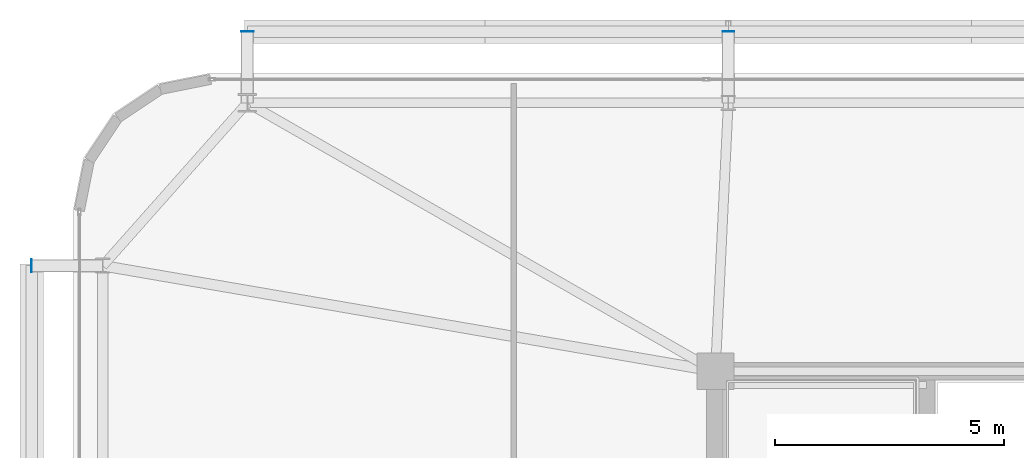
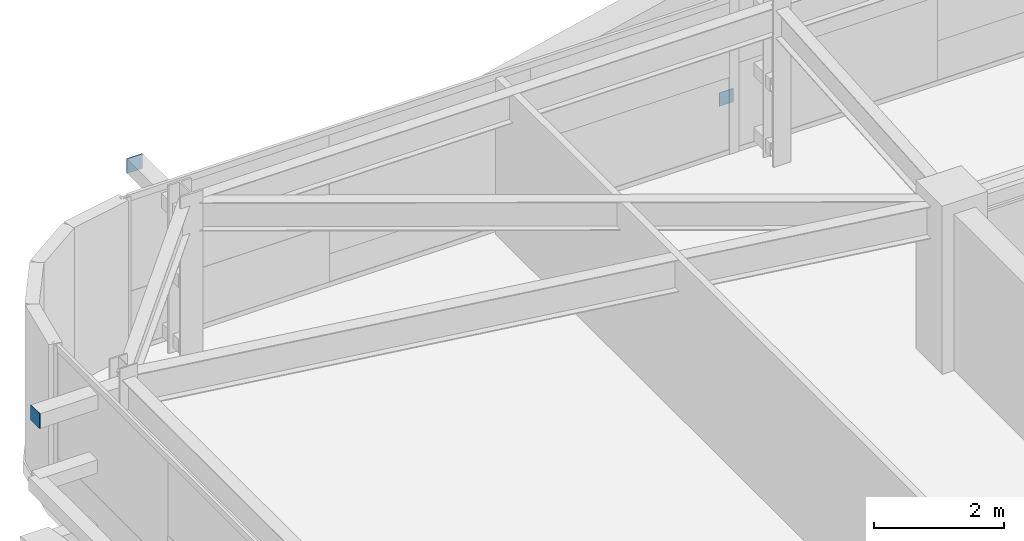
# One storey, part 36 of 44: 3 plates.
"""IFC4 building model written with IfcOpenShell, lengths in metres."""

import ifcopenshell
import ifcopenshell.guid

model = None  # the IFC model being written
_history = None  # IfcOwnerHistory: only IFC2X3 demands one
_inside = {}  # id of a spatial element -> (the spatial element, [elements in it])
_under = {}  # id of a project, library or spatial element -> (it, [spatial elements below it])
_declared = {}  # id of a project -> (the project, [libraries it declares])
_typed = {}  # id of a type object -> (the type object, [elements of that type])
_made_of = {}  # id of a material, layer set ... -> (it, [elements and type objects made of it])


def new_model(schema):
    """Start an empty IFC model of exactly this schema.

    Asked for "IFC4X3", IfcOpenShell would pick the latest addendum, in which some entities
    have other attributes; the version numbers below select the first issue.
    IFC2X3 requires an IfcOwnerHistory on every rooted entity: one is made here for all.
    """
    global model, _history
    if schema == "IFC4X3":
        model = ifcopenshell.file(schema_version=(4, 3, 0, 0))
    else:
        model = ifcopenshell.file(schema=schema)
    _inside.clear()
    _under.clear()
    _declared.clear()
    _typed.clear()
    _made_of.clear()
    _history = None
    if model.schema == "IFC2X3":
        org = make("IfcOrganization", Name="unknown")
        user = make(
            "IfcPersonAndOrganization",
            ThePerson=make("IfcPerson", FamilyName="unknown"),
            TheOrganization=org,
        )
        app = make(
            "IfcApplication",
            ApplicationDeveloper=org,
            Version="unknown",
            ApplicationFullName="unknown",
            ApplicationIdentifier="unknown",
        )
        _history = make(
            "IfcOwnerHistory",
            OwningUser=user,
            OwningApplication=app,
            ChangeAction="ADDED",
            CreationDate=0,
        )
    return model


def make(cls, **values):
    """One entity of the class cls with the attributes given. An attribute that is None is left unset."""
    return model.create_entity(
        cls, **{name: value for name, value in values.items() if value is not None}
    )


def rooted(cls, **values):
    """An entity with a GlobalId (a new one), such as an element, a storey or a relation."""
    return make(cls, GlobalId=ifcopenshell.guid.new(), OwnerHistory=_history, **values)


def si_unit(unit_type, name, prefix=None):
    """IfcSIUnit, for example si_unit("LENGTHUNIT", "METRE", prefix="MILLI")."""
    return make("IfcSIUnit", UnitType=unit_type, Prefix=prefix, Name=name)


def assignment(units):
    """IfcUnitAssignment: the units of a project."""
    return None if units is None else make("IfcUnitAssignment", Units=units)


def point(xyz):
    """IfcCartesianPoint."""
    return None if xyz is None else make("IfcCartesianPoint", Coordinates=xyz)


def direction(xyz):
    """IfcDirection."""
    return None if xyz is None else make("IfcDirection", DirectionRatios=xyz)


def frame(location, z_axis=None, x_axis=None):
    """IfcAxis2Placement3D, a coordinate frame: its origin and axes. An axis left out is left unset."""
    return make(
        "IfcAxis2Placement3D",
        Location=point(location),
        Axis=direction(z_axis),
        RefDirection=direction(x_axis),
    )


def frame_2d(location, x_axis=None):
    """IfcAxis2Placement2D, a coordinate frame in the plane: its origin and x axis."""
    return make(
        "IfcAxis2Placement2D", Location=point(location), RefDirection=direction(x_axis)
    )


def origin():
    """The frame at (0, 0, 0) with its axes left unset."""
    return frame((0.0, 0.0, 0.0))


def origin_2d():
    """The frame at (0, 0) in the plane with its x axis left unset."""
    return frame_2d((0.0, 0.0))


def place(relative_to, where):
    """IfcLocalPlacement: puts the frame where relative to a parent placement (None: the world)."""
    return make(
        "IfcLocalPlacement", PlacementRelTo=relative_to, RelativePlacement=where
    )


def context(
    kind, dimensions, precision=None, world=None, true_north=None, identifier=None
):
    """IfcGeometricRepresentationContext, for example the 3D "Model" context."""
    return make(
        "IfcGeometricRepresentationContext",
        ContextIdentifier=identifier,
        ContextType=kind,
        CoordinateSpaceDimension=dimensions,
        Precision=precision,
        WorldCoordinateSystem=world,
        TrueNorth=true_north,
    )


def subcontext(parent, identifier, kind, view, scale=None):
    """IfcGeometricRepresentationSubContext, for example "Body" below "Model"."""
    return make(
        "IfcGeometricRepresentationSubContext",
        ContextIdentifier=identifier,
        ContextType=kind,
        ParentContext=parent,
        TargetScale=scale,
        TargetView=view,
    )


def project(units=None, contexts=None):
    """IfcProject with its units and contexts."""
    return rooted(
        "IfcProject",
        Name="project",
        RepresentationContexts=contexts,
        UnitsInContext=assignment(units),
    )


def spatial(cls, under=None, at=None, **own):
    """A site, building, storey or space (cls), placed at a placement, below another one or the project."""
    s = rooted(cls, ObjectPlacement=at, **own)
    if under is not None:
        _under.setdefault(under.id(), (under, []))[1].append(s)
    return s


def profile(cls, at=None, kind="AREA", **sizes):
    """A parametric profile (cls). Its sizes go by their IFC names, for example OverallWidth=200.0."""
    return make(cls, ProfileType=kind, Position=at, **sizes)


def rectangle(**sizes):
    """IfcRectangleProfileDef."""
    return profile("IfcRectangleProfileDef", **sizes)


def extrude(swept, where, along, depth):
    """IfcExtrudedAreaSolid: the profile swept, set in the frame where, extruded along a direction by depth."""
    return make(
        "IfcExtrudedAreaSolid",
        SweptArea=swept,
        Position=where,
        ExtrudedDirection=direction(along),
        Depth=depth,
    )


def shape(context_of_items, identifier, shape_type, items):
    """IfcShapeRepresentation: the items that make up one representation, for example the "Body"."""
    return make(
        "IfcShapeRepresentation",
        ContextOfItems=context_of_items,
        RepresentationIdentifier=identifier,
        RepresentationType=shape_type,
        Items=items,
    )


def source(mapping_origin, context_of_items, identifier, shape_type, items):
    """IfcRepresentationMap: a shape defined once, which mapped items show again and again."""
    return make(
        "IfcRepresentationMap",
        MappingOrigin=mapping_origin,
        MappedRepresentation=shape(context_of_items, identifier, shape_type, items),
    )


def transform(
    local_origin,
    x_axis=None,
    y_axis=None,
    z_axis=None,
    scale=None,
    scale2=None,
    scale3=None,
    uniform=True,
):
    """IfcCartesianTransformationOperator3D, or its non-uniform kind. x_axis, y_axis, z_axis: its Axis1, 2, 3."""
    if uniform:
        return make(
            "IfcCartesianTransformationOperator3D",
            Axis1=direction(x_axis),
            Axis2=direction(y_axis),
            LocalOrigin=point(local_origin),
            Scale=scale,
            Axis3=direction(z_axis),
        )
    return make(
        "IfcCartesianTransformationOperator3DnonUniform",
        Axis1=direction(x_axis),
        Axis2=direction(y_axis),
        LocalOrigin=point(local_origin),
        Scale=scale,
        Axis3=direction(z_axis),
        Scale2=scale2,
        Scale3=scale3,
    )


def mapped(mapping_source, mapping_target):
    """IfcMappedItem: shows the shape of a source again, moved by a transform."""
    return make(
        "IfcMappedItem", MappingSource=mapping_source, MappingTarget=mapping_target
    )


def material(Name=None, Category=None):
    """IfcMaterial."""
    return make("IfcMaterial", Name=Name, Category=Category)


def layer(
    of_material, thickness, ventilated=None, Name=None, Category=None, Priority=None
):
    """IfcMaterialLayer: one layer of a wall or slab, of a material (None: an air gap)."""
    return make(
        "IfcMaterialLayer",
        Material=of_material,
        LayerThickness=thickness,
        IsVentilated=ventilated,
        Name=Name,
        Category=Category,
        Priority=Priority,
    )


def layer_set(layers, Name=None):
    """IfcMaterialLayerSet."""
    return make("IfcMaterialLayerSet", MaterialLayers=layers, LayerSetName=Name)


def made_of(thing, what):
    """Note that an element or type object is made of a material, layer set ...; save() writes the relation."""
    if what is not None:
        _made_of.setdefault(what.id(), (what, []))[1].append(thing)
    return thing


def type_object(cls, material=None, **own):
    """A type object (cls), such as IfcWallType, which elements share."""
    return made_of(rooted(cls, **own), material)


def element(
    cls,
    number,
    at=None,
    inside=None,
    cuts=None,
    type_object=None,
    material=None,
    context=None,
    identifier="Body",
    shape_type=None,
    held_by="IfcProductDefinitionShape",
    body=None,
    shapes=None,
    **own,
):
    """One element of the class cls, such as IfcWall. Its Tag is "e" and its number.

    at: its placement. inside: the storey or other place that contains it. cuts: it is an
    opening in that element (IfcRelVoidsElement). A single representation is given by context,
    identifier, shape_type and body (its items); several are given by shapes. held_by: the class
    of the entity that holds the representations. save() writes the other relations.
    """
    e = rooted(cls, Tag="e%d" % number, ObjectPlacement=at, **own)
    if body is not None:
        shapes = [shape(context, identifier, shape_type, body)]
    if shapes is not None:
        e.Representation = make(held_by, Representations=shapes)
    if inside is not None:
        _inside.setdefault(inside.id(), (inside, []))[1].append(e)
    if cuts is not None:
        rooted(
            "IfcRelVoidsElement", RelatingBuildingElement=cuts, RelatedOpeningElement=e
        )
    if type_object is not None:
        _typed.setdefault(type_object.id(), (type_object, []))[1].append(e)
    return made_of(e, material)


def aggregate(whole, parts):
    """IfcRelAggregates: a whole, such as a stair, and the parts it consists of."""
    return rooted("IfcRelAggregates", RelatingObject=whole, RelatedObjects=parts)


def save(model, path):
    """Write the relations noted so far, then the file.

    IfcRelAggregates (storeys below a building ...), IfcRelContainedInSpatialStructure (elements
    in a storey), IfcRelDefinesByType, IfcRelAssociatesMaterial and IfcRelDeclares: one each for
    every whole, place, type object, material and project.
    """
    for whole, parts in _under.values():
        aggregate(whole, parts)
    for where, things in _inside.values():
        rooted(
            "IfcRelContainedInSpatialStructure",
            RelatedElements=things,
            RelatingStructure=where,
        )
    for kind, things in _typed.values():
        rooted("IfcRelDefinesByType", RelatedObjects=things, RelatingType=kind)
    for what, things in _made_of.values():
        rooted("IfcRelAssociatesMaterial", RelatedObjects=things, RelatingMaterial=what)
    for by, libraries in _declared.values():
        rooted("IfcRelDeclares", RelatingContext=by, RelatedDefinitions=libraries)
    model.write(path)


model = new_model("IFC4")

# Units and contexts
model_context = context("Model", 3, precision=1e-05, world=origin(), true_north=direction((0.0, 1.0)))
body_context = subcontext(model_context, "Body", "Model", "MODEL_VIEW")
ifc_project = project(units=[si_unit("LENGTHUNIT", "METRE"), si_unit("AREAUNIT", "SQUARE_METRE"), si_unit("VOLUMEUNIT", "CUBIC_METRE"), si_unit("PLANEANGLEUNIT", "RADIAN"), si_unit("MASSUNIT", "GRAM", prefix="KILO")], contexts=[model_context])

# Site, building, storey
site_placement = place(None, origin())
site = spatial("IfcSite", under=ifc_project, at=site_placement, CompositionType="ELEMENT")
building_placement = place(site_placement, origin())
building = spatial("IfcBuilding", under=site, at=building_placement, Name="Taldren Reach Tower", CompositionType="ELEMENT")
storey_placement = place(building_placement, frame((0.0, 0.0, 42.0)))
storey = spatial("IfcBuildingStorey", under=building, at=storey_placement, Name="L12", CompositionType="ELEMENT", Elevation=42.0)

# Plates
ifc_material_1 = material(Name="Steel Gr 450 (C450L0)", Category="steel")
ifc_layer_1 = layer(ifc_material_1, 0.011962890625)
ifc_layer_set_1 = layer_set([ifc_layer_1], Name="Steel Gr 450 (C450L0)")
plate_type_1 = type_object("IfcPlateType", Name="PL-CAP-275", PredefinedType="SHEET", material=ifc_layer_set_1)
shared_shape_1 = source(origin(), body_context, "Body", "SweptSolid", [
    extrude(rectangle(XDim=0.27490234375, YDim=0.011962890625, at=origin_2d()), origin(), (0.0, 0.0, 1.0), 0.27490234375),
])
plate_1_placement = place(storey_placement, frame((8.800048828125, 39.406005859375, 2.512451171875), z_axis=(0.0, 0.0, 1.0), x_axis=(1.0, 0.0, 0.0)))
element("IfcPlate", 1, at=plate_1_placement, inside=storey, type_object=plate_type_1, Name="Tie strut end cap plate B1-N1 L12", PredefinedType="SHEET", context=body_context, shape_type="MappedRepresentation", body=[
    mapped(shared_shape_1, transform((0.0, 0.0, 0.0), scale=1.0)),
])
shared_shape_2 = source(origin(), body_context, "Body", "SweptSolid", [
    extrude(rectangle(XDim=0.011962890625, YDim=0.27490234375, at=origin_2d()), origin(), (0.0, 0.0, 1.0), 0.27490234375),
])
plate_2_placement = place(storey_placement, frame((4.093994140625, 34.300048828125, 2.512451171875), z_axis=(0.0, 0.0, 1.0), x_axis=(1.0, 0.0, 0.0)))
element("IfcPlate", 2, at=plate_2_placement, inside=storey, type_object=plate_type_1, Name="Tie strut end cap plate B1-W3 L12", PredefinedType="SHEET", context=body_context, shape_type="MappedRepresentation", body=[
    mapped(shared_shape_2, transform((0.0, 0.0, 0.0), scale=1.0)),
])
ifc_material_2 = material(Name="Steel Gr 350 (C350L0)", Category="steel")
ifc_layer_2 = layer(ifc_material_2, 0.011962890625)
ifc_layer_set_2 = layer_set([ifc_layer_2], Name="Steel Gr 350 (C350L0)")
plate_type_2 = type_object("IfcPlateType", Name="PL-CAP-250", PredefinedType="SHEET", material=ifc_layer_set_2)
shared_shape_3 = source(origin(), body_context, "Body", "SweptSolid", [
    extrude(rectangle(XDim=0.25, YDim=0.011962890625, at=origin_2d()), origin(), (0.0, 0.0, 1.0), 0.25),
])
plate_3_placement = place(storey_placement, frame((19.280029296875, 39.406005859375, 0.094970703125), z_axis=(0.0, 0.0, 1.0), x_axis=(1.0, 0.0, 0.0)))
element("IfcPlate", 3, at=plate_3_placement, inside=storey, type_object=plate_type_2, Name="Tie strut end cap plate B1-N2 L12", PredefinedType="SHEET", context=body_context, shape_type="MappedRepresentation", body=[
    mapped(shared_shape_3, transform((0.0, 0.0, 0.0), scale=1.0)),
])

save(model, "model.ifc")
